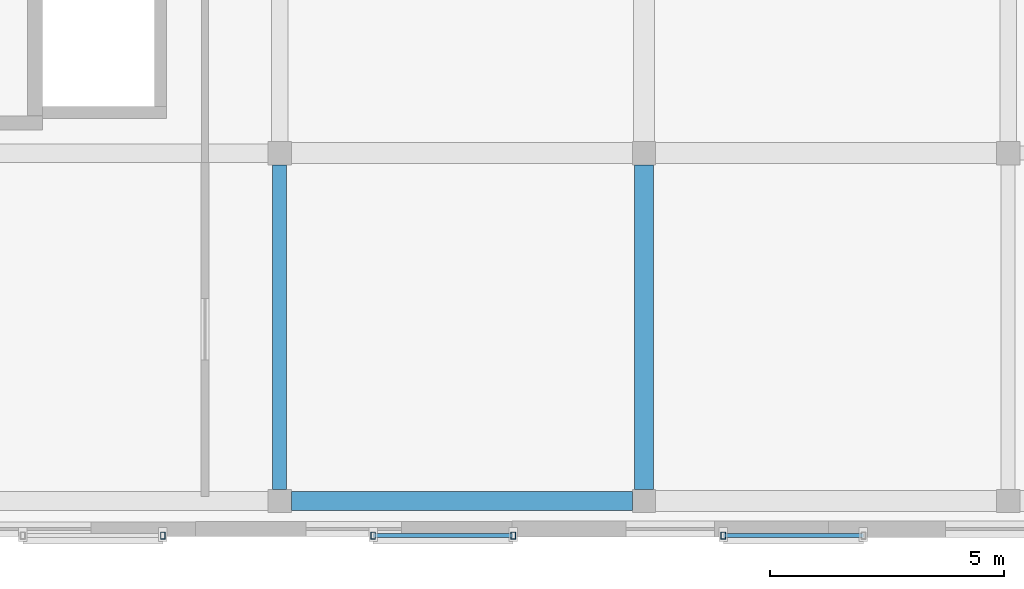
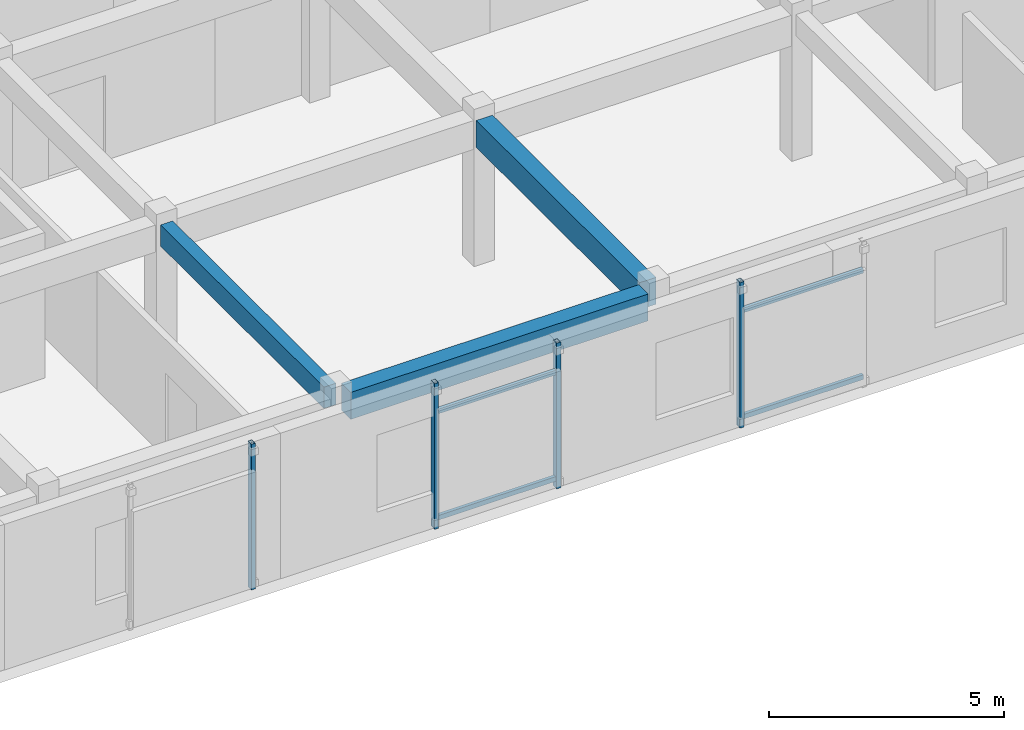
# One storey, part 32 of 91: 8 members, 3 beams.
"""IFC4 building model written with IfcOpenShell, lengths in metres."""

import ifcopenshell
import ifcopenshell.guid

model = None  # the IFC model being written
_history = None  # IfcOwnerHistory: only IFC2X3 demands one
_inside = {}  # id of a spatial element -> (the spatial element, [elements in it])
_under = {}  # id of a project, library or spatial element -> (it, [spatial elements below it])
_declared = {}  # id of a project -> (the project, [libraries it declares])
_typed = {}  # id of a type object -> (the type object, [elements of that type])
_made_of = {}  # id of a material, layer set ... -> (it, [elements and type objects made of it])


def new_model(schema):
    """Start an empty IFC model of exactly this schema.

    Asked for "IFC4X3", IfcOpenShell would pick the latest addendum, in which some entities
    have other attributes; the version numbers below select the first issue.
    IFC2X3 requires an IfcOwnerHistory on every rooted entity: one is made here for all.
    """
    global model, _history
    if schema == "IFC4X3":
        model = ifcopenshell.file(schema_version=(4, 3, 0, 0))
    else:
        model = ifcopenshell.file(schema=schema)
    _inside.clear()
    _under.clear()
    _declared.clear()
    _typed.clear()
    _made_of.clear()
    _history = None
    if model.schema == "IFC2X3":
        org = make("IfcOrganization", Name="unknown")
        user = make(
            "IfcPersonAndOrganization",
            ThePerson=make("IfcPerson", FamilyName="unknown"),
            TheOrganization=org,
        )
        app = make(
            "IfcApplication",
            ApplicationDeveloper=org,
            Version="unknown",
            ApplicationFullName="unknown",
            ApplicationIdentifier="unknown",
        )
        _history = make(
            "IfcOwnerHistory",
            OwningUser=user,
            OwningApplication=app,
            ChangeAction="ADDED",
            CreationDate=0,
        )
    return model


def make(cls, **values):
    """One entity of the class cls with the attributes given. An attribute that is None is left unset."""
    return model.create_entity(
        cls, **{name: value for name, value in values.items() if value is not None}
    )


def rooted(cls, **values):
    """An entity with a GlobalId (a new one), such as an element, a storey or a relation."""
    return make(cls, GlobalId=ifcopenshell.guid.new(), OwnerHistory=_history, **values)


def si_unit(unit_type, name, prefix=None):
    """IfcSIUnit, for example si_unit("LENGTHUNIT", "METRE", prefix="MILLI")."""
    return make("IfcSIUnit", UnitType=unit_type, Prefix=prefix, Name=name)


def assignment(units):
    """IfcUnitAssignment: the units of a project."""
    return None if units is None else make("IfcUnitAssignment", Units=units)


def point(xyz):
    """IfcCartesianPoint."""
    return None if xyz is None else make("IfcCartesianPoint", Coordinates=xyz)


def direction(xyz):
    """IfcDirection."""
    return None if xyz is None else make("IfcDirection", DirectionRatios=xyz)


def frame(location, z_axis=None, x_axis=None):
    """IfcAxis2Placement3D, a coordinate frame: its origin and axes. An axis left out is left unset."""
    return make(
        "IfcAxis2Placement3D",
        Location=point(location),
        Axis=direction(z_axis),
        RefDirection=direction(x_axis),
    )


def frame_2d(location, x_axis=None):
    """IfcAxis2Placement2D, a coordinate frame in the plane: its origin and x axis."""
    return make(
        "IfcAxis2Placement2D", Location=point(location), RefDirection=direction(x_axis)
    )


def origin():
    """The frame at (0, 0, 0) with its axes left unset."""
    return frame((0.0, 0.0, 0.0))


def origin_2d():
    """The frame at (0, 0) in the plane with its x axis left unset."""
    return frame_2d((0.0, 0.0))


def place(relative_to, where):
    """IfcLocalPlacement: puts the frame where relative to a parent placement (None: the world)."""
    return make(
        "IfcLocalPlacement", PlacementRelTo=relative_to, RelativePlacement=where
    )


def context(
    kind, dimensions, precision=None, world=None, true_north=None, identifier=None
):
    """IfcGeometricRepresentationContext, for example the 3D "Model" context."""
    return make(
        "IfcGeometricRepresentationContext",
        ContextIdentifier=identifier,
        ContextType=kind,
        CoordinateSpaceDimension=dimensions,
        Precision=precision,
        WorldCoordinateSystem=world,
        TrueNorth=true_north,
    )


def subcontext(parent, identifier, kind, view, scale=None):
    """IfcGeometricRepresentationSubContext, for example "Body" below "Model"."""
    return make(
        "IfcGeometricRepresentationSubContext",
        ContextIdentifier=identifier,
        ContextType=kind,
        ParentContext=parent,
        TargetScale=scale,
        TargetView=view,
    )


def project(units=None, contexts=None):
    """IfcProject with its units and contexts."""
    return rooted(
        "IfcProject",
        Name="project",
        RepresentationContexts=contexts,
        UnitsInContext=assignment(units),
    )


def spatial(cls, under=None, at=None, **own):
    """A site, building, storey or space (cls), placed at a placement, below another one or the project."""
    s = rooted(cls, ObjectPlacement=at, **own)
    if under is not None:
        _under.setdefault(under.id(), (under, []))[1].append(s)
    return s


def profile(cls, at=None, kind="AREA", **sizes):
    """A parametric profile (cls). Its sizes go by their IFC names, for example OverallWidth=200.0."""
    return make(cls, ProfileType=kind, Position=at, **sizes)


def rectangle(**sizes):
    """IfcRectangleProfileDef."""
    return profile("IfcRectangleProfileDef", **sizes)


def hollow_rectangle(**sizes):
    """IfcRectangleHollowProfileDef."""
    return profile("IfcRectangleHollowProfileDef", **sizes)


def extrude(swept, where, along, depth):
    """IfcExtrudedAreaSolid: the profile swept, set in the frame where, extruded along a direction by depth."""
    return make(
        "IfcExtrudedAreaSolid",
        SweptArea=swept,
        Position=where,
        ExtrudedDirection=direction(along),
        Depth=depth,
    )


def shape(context_of_items, identifier, shape_type, items):
    """IfcShapeRepresentation: the items that make up one representation, for example the "Body"."""
    return make(
        "IfcShapeRepresentation",
        ContextOfItems=context_of_items,
        RepresentationIdentifier=identifier,
        RepresentationType=shape_type,
        Items=items,
    )


def material(Name=None, Category=None):
    """IfcMaterial."""
    return make("IfcMaterial", Name=Name, Category=Category)


def material_profile(
    of_material, cross_section, Name=None, Category=None, Priority=None
):
    """IfcMaterialProfile: a cross section and its material."""
    return make(
        "IfcMaterialProfile",
        Name=Name,
        Material=of_material,
        Profile=cross_section,
        Priority=Priority,
        Category=Category,
    )


def profile_set(profiles, Name=None, composite=None):
    """IfcMaterialProfileSet."""
    return make(
        "IfcMaterialProfileSet",
        Name=Name,
        MaterialProfiles=profiles,
        CompositeProfile=composite,
    )


def made_of(thing, what):
    """Note that an element or type object is made of a material, layer set ...; save() writes the relation."""
    if what is not None:
        _made_of.setdefault(what.id(), (what, []))[1].append(thing)
    return thing


def type_object(cls, material=None, **own):
    """A type object (cls), such as IfcWallType, which elements share."""
    return made_of(rooted(cls, **own), material)


def element(
    cls,
    number,
    at=None,
    inside=None,
    cuts=None,
    type_object=None,
    material=None,
    context=None,
    identifier="Body",
    shape_type=None,
    held_by="IfcProductDefinitionShape",
    body=None,
    shapes=None,
    **own,
):
    """One element of the class cls, such as IfcWall. Its Tag is "e" and its number.

    at: its placement. inside: the storey or other place that contains it. cuts: it is an
    opening in that element (IfcRelVoidsElement). A single representation is given by context,
    identifier, shape_type and body (its items); several are given by shapes. held_by: the class
    of the entity that holds the representations. save() writes the other relations.
    """
    e = rooted(cls, Tag="e%d" % number, ObjectPlacement=at, **own)
    if body is not None:
        shapes = [shape(context, identifier, shape_type, body)]
    if shapes is not None:
        e.Representation = make(held_by, Representations=shapes)
    if inside is not None:
        _inside.setdefault(inside.id(), (inside, []))[1].append(e)
    if cuts is not None:
        rooted(
            "IfcRelVoidsElement", RelatingBuildingElement=cuts, RelatedOpeningElement=e
        )
    if type_object is not None:
        _typed.setdefault(type_object.id(), (type_object, []))[1].append(e)
    return made_of(e, material)


def aggregate(whole, parts):
    """IfcRelAggregates: a whole, such as a stair, and the parts it consists of."""
    return rooted("IfcRelAggregates", RelatingObject=whole, RelatedObjects=parts)


def save(model, path):
    """Write the relations noted so far, then the file.

    IfcRelAggregates (storeys below a building ...), IfcRelContainedInSpatialStructure (elements
    in a storey), IfcRelDefinesByType, IfcRelAssociatesMaterial and IfcRelDeclares: one each for
    every whole, place, type object, material and project.
    """
    for whole, parts in _under.values():
        aggregate(whole, parts)
    for where, things in _inside.values():
        rooted(
            "IfcRelContainedInSpatialStructure",
            RelatedElements=things,
            RelatingStructure=where,
        )
    for kind, things in _typed.values():
        rooted("IfcRelDefinesByType", RelatedObjects=things, RelatingType=kind)
    for what, things in _made_of.values():
        rooted("IfcRelAssociatesMaterial", RelatedObjects=things, RelatingMaterial=what)
    for by, libraries in _declared.values():
        rooted("IfcRelDeclares", RelatingContext=by, RelatedDefinitions=libraries)
    model.write(path)


model = new_model("IFC4")

# Units and contexts
model_context = context("Model", 3, precision=1e-05, world=origin(), true_north=direction((0.0, 1.0)))
body_context = subcontext(model_context, "Body", "Model", "MODEL_VIEW")
ifc_project = project(units=[si_unit("LENGTHUNIT", "METRE"), si_unit("AREAUNIT", "SQUARE_METRE"), si_unit("VOLUMEUNIT", "CUBIC_METRE"), si_unit("PLANEANGLEUNIT", "RADIAN"), si_unit("MASSUNIT", "GRAM", prefix="KILO")], contexts=[model_context])

# Site, building, storey
site_placement = place(None, origin())
site = spatial("IfcSite", under=ifc_project, at=site_placement, CompositionType="ELEMENT")
building_placement = place(site_placement, origin())
building = spatial("IfcBuilding", under=site, at=building_placement, Name="Valcora Specialist Clinic", CompositionType="ELEMENT")
storey_placement = place(building_placement, frame((0.0, 0.0, 13.60009765625)))
storey = spatial("IfcBuildingStorey", under=building, at=storey_placement, Name="L03", CompositionType="ELEMENT", Elevation=13.60009765625)

# Beams
ifc_material_1 = material(Name="Concrete C40/50", Category="concrete")
ifc_material_profile_1 = material_profile(ifc_material_1, rectangle(XDim=0.300048828125, YDim=0.550048828125, at=origin_2d()), Name="RC-BM-300X550")
ifc_profile_set_1 = profile_set([ifc_material_profile_1], Name="Concrete C40/50")
beam_type_1 = type_object("IfcBeamType", Name="TY-BM-RC300X550", PredefinedType="BEAM", material=ifc_profile_set_1)
beam_1_placement = place(storey_placement, frame((69.0, 1.0, 3.5048828125), z_axis=(0.0, 1.0, 0.0), x_axis=(-1.0, 0.0, 0.0)))
element("IfcBeam", 1, at=beam_1_placement, inside=storey, type_object=beam_type_1, Name="Beam BM-L03-1451", PredefinedType="BEAM", context=body_context, shape_type="SweptSolid", body=[
    extrude(rectangle(XDim=0.300048828125, YDim=0.550048828125, at=origin_2d()), origin(), (0.0, 0.0, 1.0), 6.949951171875),
])
ifc_material_profile_2 = material_profile(ifc_material_1, rectangle(XDim=0.39990234375, YDim=0.699951171875, at=origin_2d()), Name="RC-BM-400X700")
ifc_profile_set_2 = profile_set([ifc_material_profile_2], Name="Concrete C40/50")
beam_type_2 = type_object("IfcBeamType", Name="TY-BM-RC400X700", PredefinedType="BEAM", material=ifc_profile_set_2)
beam_2_placement = place(storey_placement, frame((69.25, 0.75, 3.429931640625), z_axis=(1.0, 0.0, 0.0), x_axis=(0.0, 1.0, 0.0)))
element("IfcBeam", 2, at=beam_2_placement, inside=storey, type_object=beam_type_2, Name="Beam BM-L03-1420", PredefinedType="BEAM", context=body_context, shape_type="SweptSolid", body=[
    extrude(rectangle(XDim=0.39990234375, YDim=0.699951171875, at=origin_2d()), origin(), (0.0, 0.0, 1.0), 7.300048828125),
])
beam_3_placement = place(storey_placement, frame((76.800048828125, 1.0, 3.429931640625), z_axis=(0.0, 1.0, 0.0), x_axis=(-1.0, 0.0, 0.0)))
element("IfcBeam", 3, at=beam_3_placement, inside=storey, type_object=beam_type_2, Name="Beam BM-L03-1454", PredefinedType="BEAM", context=body_context, shape_type="SweptSolid", body=[
    extrude(rectangle(XDim=0.39990234375, YDim=0.699951171875, at=origin_2d()), origin(), (0.0, 0.0, 1.0), 6.949951171875),
])

# Members
ifc_material_2 = material(Name="Steel ASTM A500 Grade C", Category="steel")
ifc_material_profile_3 = material_profile(ifc_material_2, hollow_rectangle(XDim=0.10009765625, YDim=0.14990234375, WallThickness=0.006103515625, at=origin_2d()), Name="ST-RHS-150X100X6")
ifc_profile_set_3 = profile_set([ifc_material_profile_3], Name="Steel ASTM A500 Grade C")
member_type_1 = type_object("IfcMemberType", Name="TY-MB-SFPOST", PredefinedType="POST", material=ifc_profile_set_3)
for number, where, z_axis, x_axis, name in (
    (4, (66.5, 0.010009765625, 0.0), (0.0, 0.0, 1.0), (1.0, 0.0, 0.0), "Brick screen carrier post 142"),
    (5, (71.0, 0.010009765625, 0.0), (0.0, 0.0, 1.0), (1.0, 0.0, 0.0), "Brick screen carrier post 145"),
    (6, (74.0, 0.010009765625, 0.0), (0.0, 0.0, 1.0), (1.0, 0.0, 0.0), "Brick screen carrier post 146"),
    (7, (78.5, 0.010009765625, 0.0), (0.0, 0.0, 1.0), (1.0, 0.0, 0.0), "Brick screen carrier post 149"),
):
    element("IfcMember", number, at=place(storey_placement, frame(where, z_axis=z_axis, x_axis=x_axis)), inside=storey, type_object=member_type_1, Name=name, PredefinedType="POST", context=body_context, shape_type="SweptSolid", body=[
        extrude(hollow_rectangle(XDim=0.10009765625, YDim=0.14990234375, WallThickness=0.006103515625, at=origin_2d()), origin(), (0.0, 0.0, 1.0), 3.77978515625),
    ])
ifc_material_profile_4 = material_profile(ifc_material_2, hollow_rectangle(XDim=0.080078125, YDim=0.1201171875, WallThickness=0.0048828125, at=origin_2d()), Name="ST-RHS-120X80X5")
ifc_profile_set_4 = profile_set([ifc_material_profile_4], Name="Steel ASTM A500 Grade C")
member_type_2 = type_object("IfcMemberType", Name="TY-MB-SFRAIL", PredefinedType="STRINGER", material=ifc_profile_set_4)
for number, where, z_axis, x_axis, name in (
    (8, (71.0, 0.010009765625, 0.239990234375), (1.0, 0.0, 0.0), (0.0, 1.0, 0.0), "Brick screen carrier rail 147"),
    (9, (71.0, 0.010009765625, 3.0), (1.0, 0.0, 0.0), (0.0, 1.0, 0.0), "Brick screen carrier rail 148"),
    (10, (78.5, 0.010009765625, 0.239990234375), (1.0, 0.0, 0.0), (0.0, 1.0, 0.0), "Brick screen carrier rail 151"),
    (11, (78.5, 0.010009765625, 3.0), (1.0, 0.0, 0.0), (0.0, 1.0, 0.0), "Brick screen carrier rail 152"),
):
    element("IfcMember", number, at=place(storey_placement, frame(where, z_axis=z_axis, x_axis=x_axis)), inside=storey, type_object=member_type_2, Name=name, PredefinedType="STRINGER", context=body_context, shape_type="SweptSolid", body=[
        extrude(hollow_rectangle(XDim=0.080078125, YDim=0.1201171875, WallThickness=0.0048828125, at=origin_2d()), origin(), (0.0, 0.0, 1.0), 3.0),
    ])

save(model, "model.ifc")
